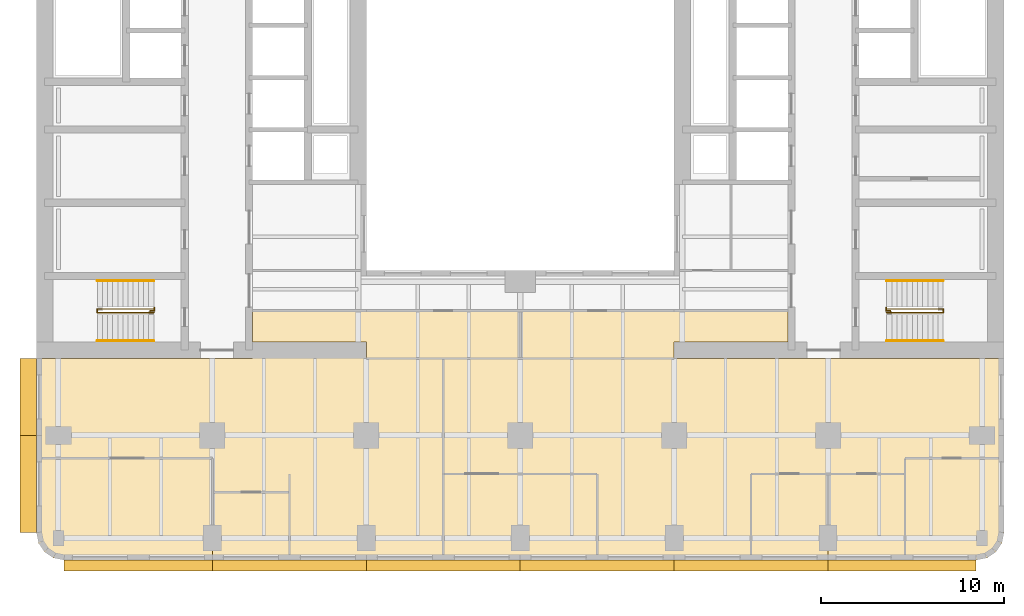
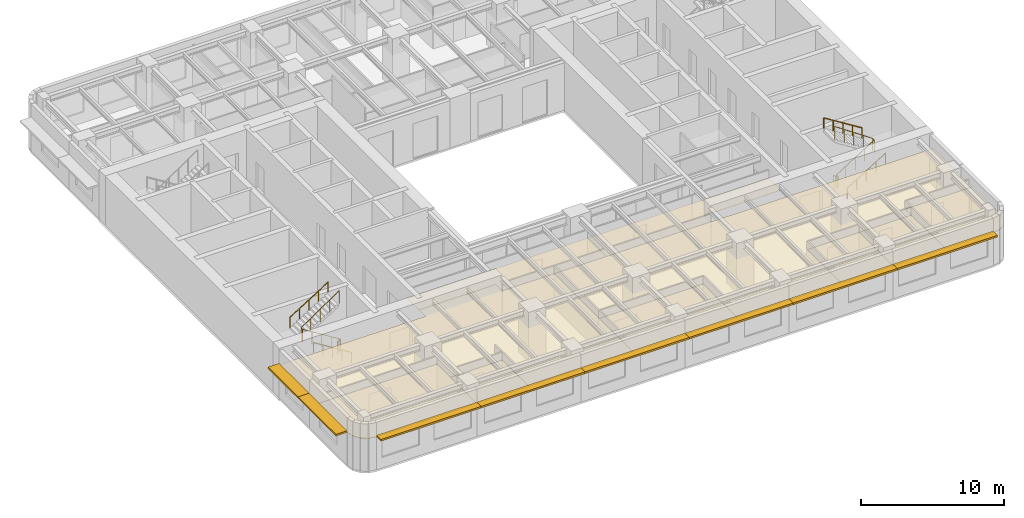
# One storey, part 9 of 11: 10 coverings, 8 railings, 8 shading devices.
"""IFC4 building model written with IfcOpenShell, lengths in metres."""

from ifc_helpers import new_model, si_unit, direction, frame, origin, origin_2d, place, context, subcontext, project, spatial, polyline, rectangle, circle, outline, extrude, material, layer, layer_set, type_object, element, save


model = new_model("IFC4")

# Units and contexts
model_context = context("Model", 3, precision=1e-05, world=origin(), true_north=direction((0.0, 1.0)))
body_context = subcontext(model_context, "Body", "Model", "MODEL_VIEW")
ifc_project = project(units=[si_unit("LENGTHUNIT", "METRE"), si_unit("AREAUNIT", "SQUARE_METRE"), si_unit("VOLUMEUNIT", "CUBIC_METRE"), si_unit("PLANEANGLEUNIT", "RADIAN"), si_unit("MASSUNIT", "GRAM", prefix="KILO")], contexts=[model_context])

# Site, building, storey
site_placement = place(None, origin())
site = spatial("IfcSite", under=ifc_project, at=site_placement, CompositionType="ELEMENT")
building_placement = place(site_placement, origin())
building = spatial("IfcBuilding", under=site, at=building_placement, Name="Claustro Exchange Tower", CompositionType="ELEMENT")
storey_placement = place(building_placement, frame((0.0, 0.0, 151.199951171875)))
storey = spatial("IfcBuildingStorey", under=building, at=storey_placement, Name="L34", CompositionType="ELEMENT", Elevation=151.199951171875)

# Coverings
ifc_material_1 = material(Name="Perforated metal ceiling tiles", Category="steel")
ifc_layer_1 = layer(ifc_material_1, 0.030029296875)
ifc_layer_set_1 = layer_set([ifc_layer_1], Name="Perforated metal ceiling tiles")
covering_type_1 = type_object("IfcCoveringType", Name="CL1 suspended metal ceiling", PredefinedType="CEILING", material=ifc_layer_set_1)
covering_1_placement = place(storey_placement, frame((0.0, 0.0, 2.800048828125)))
element("IfcCovering", 1, at=covering_1_placement, inside=storey, type_object=covering_type_1, Name="Ceiling CL1 L34-07", PredefinedType="CEILING", context=body_context, shape_type="SweptSolid", body=[
    extrude(outline(polyline([(10.60009765625, 12.60009765625), (-1.199951171875, 12.60009765625), (-1.199951171875, 7.14990234375), (8.39990234375, 7.14990234375), (8.39990234375, 5.300048828125), (12.60009765625, 5.300048828125), (12.60009765625, 1.60009765625), (21.0, 1.60009765625), (21.0, 6.300048828125), (21.0, 12.60009765625), (16.800048828125, 12.60009765625), (16.800048828125, 13.5), (10.60009765625, 13.5), (10.60009765625, 12.60009765625)])), origin(), (0.0, 0.0, 1.0), 0.030029296875),
])
ifc_material_2 = material(Name="Gypsum board ceiling", Category="gypsum board")
ifc_layer_2 = layer(ifc_material_2, 0.02490234375)
ifc_layer_set_2 = layer_set([ifc_layer_2], Name="Gypsum board ceiling")
covering_type_2 = type_object("IfcCoveringType", Name="CL2 plasterboard ceiling", PredefinedType="CEILING", material=ifc_layer_set_2)
covering_2_placement = place(storey_placement, frame((0.0, 0.0, 2.800048828125)))
element("IfcCovering", 2, at=covering_2_placement, inside=storey, type_object=covering_type_2, Name="Ceiling CL2 L34-01", PredefinedType="CEILING", context=body_context, shape_type="SweptSolid", body=[
    extrude(outline(polyline([(8.39990234375, 1.60009765625), (12.60009765625, 1.60009765625), (12.60009765625, 5.300048828125), (8.39990234375, 5.300048828125), (8.39990234375, 1.60009765625)])), origin(), (0.0, 0.0, 1.0), 0.02490234375),
])
covering_3_placement = place(storey_placement, frame((0.0, 0.0, 2.800048828125)))
element("IfcCovering", 3, at=covering_3_placement, inside=storey, type_object=covering_type_2, Name="Ceiling CL2 L34-02", PredefinedType="CEILING", context=body_context, shape_type="SweptSolid", body=[
    extrude(outline(polyline([(21.0, 1.60009765625), (29.39990234375, 1.60009765625), (29.39990234375, 6.300048828125), (21.0, 6.300048828125), (21.0, 1.60009765625)])), origin(), (0.0, 0.0, 1.0), 0.02490234375),
])
covering_4_placement = place(storey_placement, frame((0.0, 0.0, 2.800048828125)))
element("IfcCovering", 4, at=covering_4_placement, inside=storey, type_object=covering_type_2, Name="Ceiling CL2 L34-03", PredefinedType="CEILING", context=body_context, shape_type="SweptSolid", body=[
    extrude(outline(polyline([(37.800048828125, 1.60009765625), (42.0, 1.60009765625), (42.0, 6.300048828125), (37.800048828125, 6.300048828125), (37.800048828125, 1.60009765625)])), origin(), (0.0, 0.0, 1.0), 0.02490234375),
])
covering_5_placement = place(storey_placement, frame((0.0, 0.0, 2.800048828125)))
element("IfcCovering", 5, at=covering_5_placement, inside=storey, type_object=covering_type_2, Name="Ceiling CL2 L34-04", PredefinedType="CEILING", context=body_context, shape_type="SweptSolid", body=[
    extrude(outline(polyline([(42.0, 1.60009765625), (46.199951171875, 1.60009765625), (46.199951171875, 6.300048828125), (42.0, 6.300048828125), (42.0, 1.60009765625)])), origin(), (0.0, 0.0, 1.0), 0.02490234375),
])
covering_6_placement = place(storey_placement, frame((0.0, 0.0, 2.800048828125)))
element("IfcCovering", 6, at=covering_6_placement, inside=storey, type_object=covering_type_2, Name="Ceiling CL2 L34-05", PredefinedType="CEILING", context=body_context, shape_type="SweptSolid", body=[
    extrude(outline(polyline([(-1.085693359375, 2.52587890625), (-0.7607421875, 2.039306640625), (-0.27392578125, 1.714111328125), (0.300048828125, 1.60009765625), (8.39990234375, 1.60009765625), (8.39990234375, 7.14990234375), (-1.199951171875, 7.14990234375), (-1.199951171875, 3.10009765625), (-1.085693359375, 2.52587890625)])), origin(), (0.0, 0.0, 1.0), 0.02490234375),
])
covering_7_placement = place(storey_placement, frame((0.0, 0.0, 2.800048828125)))
element("IfcCovering", 7, at=covering_7_placement, inside=storey, type_object=covering_type_2, Name="Ceiling CL2 L34-06", PredefinedType="CEILING", context=body_context, shape_type="SweptSolid", body=[
    extrude(outline(polyline([(51.60009765625, 3.10009765625), (51.60009765625, 7.14990234375), (46.199951171875, 7.14990234375), (46.199951171875, 1.60009765625), (50.10009765625, 1.60009765625), (50.674072265625, 1.714111328125), (51.16064453125, 2.039306640625), (51.48583984375, 2.52587890625), (51.60009765625, 3.10009765625)])), origin(), (0.0, 0.0, 1.0), 0.02490234375),
])
covering_8_placement = place(storey_placement, frame((0.0, 0.0, 2.800048828125)))
element("IfcCovering", 8, at=covering_8_placement, inside=storey, type_object=covering_type_2, Name="Ceiling CL2 L34-08", PredefinedType="CEILING", context=body_context, shape_type="SweptSolid", body=[
    extrude(outline(polyline([(51.60009765625, 12.60009765625), (39.800048828125, 12.60009765625), (21.0, 12.60009765625), (21.0, 6.300048828125), (29.39990234375, 6.300048828125), (29.39990234375, 1.60009765625), (37.800048828125, 1.60009765625), (37.800048828125, 6.300048828125), (42.0, 6.300048828125), (46.199951171875, 6.300048828125), (46.199951171875, 7.14990234375), (51.60009765625, 7.14990234375), (51.60009765625, 12.60009765625)])), origin(), (0.0, 0.0, 1.0), 0.02490234375),
])
covering_9_placement = place(storey_placement, frame((0.0, 0.0, 2.800048828125)))
element("IfcCovering", 9, at=covering_9_placement, inside=storey, type_object=covering_type_2, Name="Ceiling CL2 L34-09", PredefinedType="CEILING", context=body_context, shape_type="SweptSolid", body=[
    extrude(outline(polyline([(10.60009765625, 15.199951171875), (10.60009765625, 13.5), (16.800048828125, 13.5), (16.800048828125, 12.60009765625), (25.199951171875, 12.60009765625), (25.199951171875, 15.199951171875), (16.800048828125, 15.199951171875), (10.60009765625, 15.199951171875)])), origin(), (0.0, 0.0, 1.0), 0.02490234375),
])
covering_10_placement = place(storey_placement, frame((0.0, 0.0, 2.800048828125)))
element("IfcCovering", 10, at=covering_10_placement, inside=storey, type_object=covering_type_2, Name="Ceiling CL2 L34-10", PredefinedType="CEILING", context=body_context, shape_type="SweptSolid", body=[
    extrude(outline(polyline([(39.800048828125, 13.5), (39.800048828125, 15.199951171875), (33.60009765625, 15.199951171875), (25.199951171875, 15.199951171875), (25.199951171875, 12.60009765625), (33.60009765625, 12.60009765625), (33.60009765625, 13.5), (39.800048828125, 13.5)])), origin(), (0.0, 0.0, 1.0), 0.02490234375),
])

# Railings
ifc_material_3 = material(Name="Steel balustrade, painted", Category="steel")
railing_type_1 = type_object("IfcRailingType", Name="GR2 1100 steel stair guard", PredefinedType="GUARDRAIL", material=ifc_material_3)
railing_1_placement = place(storey_placement, frame((5.199951171875, 15.10009765625, 0.175048828125)))
element("IfcRailing", 11, at=railing_1_placement, inside=storey, type_object=railing_type_1, Name="Stair well guard GR2 stair STWA L34", PredefinedType="GUARDRAIL", context=body_context, shape_type="SweptSolid", body=[
    extrude(circle(Radius=0.02392578125, at=origin_2d()), frame((0.0, 0.0, 1.076171875), z_axis=(-0.847979421464, 0.0, 0.530029150871), x_axis=(0.0, -1.0, 0.0)), (0.0, 0.0, 1.0), 3.632080078125),
    extrude(circle(Radius=0.02392578125, at=origin_2d()), frame((-3.079833984375, 0.0, 3.0009765625), z_axis=(0.0, 1.0, 0.0), x_axis=(-1.0, 0.0, 0.0)), (0.0, 0.0, 1.0), 0.199951171875),
    extrude(circle(Radius=0.02392578125, at=origin_2d()), frame((-3.079833984375, 0.199951171875, 3.0009765625), z_axis=(0.826231499792, 0.0, 0.563330727682), x_axis=(0.0, 1.0, 0.0)), (0.0, 0.0, 1.0), 3.7275390625),
    extrude(circle(Radius=0.02099609375, at=origin_2d()), origin(), (0.0, 0.0, 1.0), 1.052001953125),
    extrude(circle(Radius=0.02099609375, at=origin_2d()), frame((-0.77001953125, 0.0, 0.481201171875)), (0.0, 0.0, 1.0), 1.052001953125),
    extrude(circle(Radius=0.02099609375, at=origin_2d()), frame((-1.5400390625, 0.0, 0.96240234375)), (0.0, 0.0, 1.0), 1.052001953125),
    extrude(circle(Radius=0.02099609375, at=origin_2d()), frame((-2.309814453125, 0.0, 1.44384765625)), (0.0, 0.0, 1.0), 1.052001953125),
    extrude(circle(Radius=0.02099609375, at=origin_2d()), frame((-3.079833984375, 0.0, 1.925048828125)), (0.0, 0.0, 1.0), 1.052001953125),
    extrude(circle(Radius=0.02099609375, at=origin_2d()), frame((-3.079833984375, 0.199951171875, 1.925048828125)), (0.0, 0.0, 1.0), 1.052001953125),
    extrude(circle(Radius=0.02099609375, at=origin_2d()), frame((-2.309814453125, 0.199951171875, 2.449951171875)), (0.0, 0.0, 1.0), 1.052001953125),
    extrude(circle(Radius=0.02099609375, at=origin_2d()), frame((-1.5400390625, 0.199951171875, 2.97509765625)), (0.0, 0.0, 1.0), 1.052001953125),
    extrude(circle(Radius=0.02099609375, at=origin_2d()), frame((-0.77001953125, 0.199951171875, 3.5)), (0.0, 0.0, 1.0), 1.052001953125),
    extrude(circle(Radius=0.02099609375, at=origin_2d()), frame((0.0, 0.199951171875, 4.02490234375)), (0.0, 0.0, 1.0), 1.052001953125),
])
railing_2_placement = place(storey_placement, frame((5.0, 15.169921875, 0.0)))
element("IfcRailing", 12, at=railing_2_placement, inside=storey, type_object=railing_type_1, Name="Stair guard GR2 STWA L34", PredefinedType="GUARDRAIL", context=body_context, shape_type="SweptSolid", body=[
    extrude(circle(Radius=0.02392578125, at=origin_2d()), frame((0.0, 0.0, 1.076171875), z_axis=(0.0, 1.0, 0.0), x_axis=(-1.0, 0.0, 0.0)), (0.0, 0.0, 1.0), 0.030029296875),
    extrude(circle(Radius=0.02392578125, at=origin_2d()), frame((0.0, 0.030029296875, 1.076171875), z_axis=(1.0, 0.0, 0.0), x_axis=(0.0, 1.0, 0.0)), (0.0, 0.0, 1.0), 0.22509765625),
    extrude(circle(Radius=0.02392578125, at=origin_2d()), frame((0.22509765625, 0.030029296875, 1.076171875), z_axis=(0.0, 1.0, 0.0), x_axis=(-1.0, 0.0, 0.0)), (0.0, 0.0, 1.0), 0.179931640625),
    extrude(circle(Radius=0.02099609375, at=origin_2d()), origin(), (0.0, 0.0, 1.0), 1.052001953125),
    extrude(circle(Radius=0.02099609375, at=origin_2d()), frame((0.0, 0.030029296875, 0.0)), (0.0, 0.0, 1.0), 1.052001953125),
    extrude(circle(Radius=0.02099609375, at=origin_2d()), frame((0.22509765625, 0.030029296875, 0.0)), (0.0, 0.0, 1.0), 1.052001953125),
    extrude(circle(Radius=0.02099609375, at=origin_2d()), frame((0.22509765625, 0.2099609375, 0.0)), (0.0, 0.0, 1.0), 1.052001953125),
])
railing_3_placement = place(storey_placement, frame((45.199951171875, 15.10009765625, 0.175048828125)))
element("IfcRailing", 13, at=railing_3_placement, inside=storey, type_object=railing_type_1, Name="Stair well guard GR2 stair STEA L34", PredefinedType="GUARDRAIL", context=body_context, shape_type="SweptSolid", body=[
    extrude(circle(Radius=0.02392578125, at=origin_2d()), frame((0.0, 0.0, 1.076171875), z_axis=(0.847998304005, 0.0, 0.529998940003), x_axis=(0.0, 1.0, 0.0)), (0.0, 0.0, 1.0), 3.632080078125),
    extrude(circle(Radius=0.02392578125, at=origin_2d()), frame((3.080078125, 0.0, 3.0009765625), z_axis=(0.0, 1.0, 0.0), x_axis=(-1.0, 0.0, 0.0)), (0.0, 0.0, 1.0), 0.199951171875),
    extrude(circle(Radius=0.02392578125, at=origin_2d()), frame((3.080078125, 0.199951171875, 3.0009765625), z_axis=(-0.826252282691, 0.0, 0.563300244406), x_axis=(0.0, -1.0, 0.0)), (0.0, 0.0, 1.0), 3.727783203125),
    extrude(circle(Radius=0.02099609375, at=origin_2d()), origin(), (0.0, 0.0, 1.0), 1.052001953125),
    extrude(circle(Radius=0.02099609375, at=origin_2d()), frame((0.77001953125, 0.0, 0.481201171875)), (0.0, 0.0, 1.0), 1.052001953125),
    extrude(circle(Radius=0.02099609375, at=origin_2d()), frame((1.5400390625, 0.0, 0.96240234375)), (0.0, 0.0, 1.0), 1.052001953125),
    extrude(circle(Radius=0.02099609375, at=origin_2d()), frame((2.31005859375, 0.0, 1.44384765625)), (0.0, 0.0, 1.0), 1.052001953125),
    extrude(circle(Radius=0.02099609375, at=origin_2d()), frame((3.080078125, 0.0, 1.925048828125)), (0.0, 0.0, 1.0), 1.052001953125),
    extrude(circle(Radius=0.02099609375, at=origin_2d()), frame((3.080078125, 0.199951171875, 1.925048828125)), (0.0, 0.0, 1.0), 1.052001953125),
    extrude(circle(Radius=0.02099609375, at=origin_2d()), frame((2.31005859375, 0.199951171875, 2.449951171875)), (0.0, 0.0, 1.0), 1.052001953125),
    extrude(circle(Radius=0.02099609375, at=origin_2d()), frame((1.5400390625, 0.199951171875, 2.97509765625)), (0.0, 0.0, 1.0), 1.052001953125),
    extrude(circle(Radius=0.02099609375, at=origin_2d()), frame((0.77001953125, 0.199951171875, 3.5)), (0.0, 0.0, 1.0), 1.052001953125),
    extrude(circle(Radius=0.02099609375, at=origin_2d()), frame((0.0, 0.199951171875, 4.02490234375)), (0.0, 0.0, 1.0), 1.052001953125),
])
railing_4_placement = place(storey_placement, frame((45.39990234375, 15.169921875, 0.0)))
element("IfcRailing", 14, at=railing_4_placement, inside=storey, type_object=railing_type_1, Name="Stair guard GR2 STEA L34", PredefinedType="GUARDRAIL", context=body_context, shape_type="SweptSolid", body=[
    extrude(circle(Radius=0.02392578125, at=origin_2d()), frame((0.0, 0.0, 1.076171875), z_axis=(0.0, 1.0, 0.0), x_axis=(-1.0, 0.0, 0.0)), (0.0, 0.0, 1.0), 0.030029296875),
    extrude(circle(Radius=0.02392578125, at=origin_2d()), frame((0.0, 0.030029296875, 1.076171875), z_axis=(-1.0, 0.0, 0.0), x_axis=(0.0, -1.0, 0.0)), (0.0, 0.0, 1.0), 0.224853515625),
    extrude(circle(Radius=0.02392578125, at=origin_2d()), frame((-0.224853515625, 0.030029296875, 1.076171875), z_axis=(0.0, 1.0, 0.0), x_axis=(-1.0, 0.0, 0.0)), (0.0, 0.0, 1.0), 0.179931640625),
    extrude(circle(Radius=0.02099609375, at=origin_2d()), origin(), (0.0, 0.0, 1.0), 1.052001953125),
    extrude(circle(Radius=0.02099609375, at=origin_2d()), frame((0.0, 0.030029296875, 0.0)), (0.0, 0.0, 1.0), 1.052001953125),
    extrude(circle(Radius=0.02099609375, at=origin_2d()), frame((-0.224853515625, 0.030029296875, 0.0)), (0.0, 0.0, 1.0), 1.052001953125),
    extrude(circle(Radius=0.02099609375, at=origin_2d()), frame((-0.224853515625, 0.2099609375, 0.0)), (0.0, 0.0, 1.0), 1.052001953125),
])
ifc_material_4 = material(Name="Stainless steel tube", Category="steel")
railing_type_2 = type_object("IfcRailingType", Name="HR1 900 stair handrail", PredefinedType="HANDRAIL", material=ifc_material_4)
railing_5_placement = place(storey_placement, frame((5.199951171875, 13.56005859375, 0.175048828125)))
element("IfcRailing", 15, at=railing_5_placement, inside=storey, type_object=railing_type_2, Name="Handrail HR1 stair STWA L34", PredefinedType="HANDRAIL", context=body_context, shape_type="SweptSolid", body=[
    extrude(circle(Radius=0.02392578125, at=origin_2d()), frame((0.0, 0.0, 0.8759765625), z_axis=(-0.847979421464, 0.0, 0.530029150871), x_axis=(0.0, -1.0, 0.0)), (0.0, 0.0, 1.0), 3.632080078125),
    extrude(circle(Radius=0.02099609375, at=origin_2d()), origin(), (0.0, 0.0, 1.0), 0.851806640625),
    extrude(circle(Radius=0.02099609375, at=origin_2d()), frame((-0.77001953125, 0.0, 0.481201171875)), (0.0, 0.0, 1.0), 0.851806640625),
    extrude(circle(Radius=0.02099609375, at=origin_2d()), frame((-1.5400390625, 0.0, 0.96240234375)), (0.0, 0.0, 1.0), 0.851806640625),
    extrude(circle(Radius=0.02099609375, at=origin_2d()), frame((-2.309814453125, 0.0, 1.44384765625)), (0.0, 0.0, 1.0), 0.851806640625),
    extrude(circle(Radius=0.02099609375, at=origin_2d()), frame((-3.079833984375, 0.0, 1.925048828125)), (0.0, 0.0, 1.0), 0.851806640625),
])
railing_6_placement = place(storey_placement, frame((2.1201171875, 16.840087890625, 2.275146484375)))
element("IfcRailing", 16, at=railing_6_placement, inside=storey, type_object=railing_type_2, Name="Handrail HR1 stair STWA L34", PredefinedType="HANDRAIL", context=body_context, shape_type="SweptSolid", body=[
    extrude(circle(Radius=0.02392578125, at=origin_2d()), frame((0.0, 0.0, 0.8759765625), z_axis=(0.848009633417, 0.0, 0.529980812513), x_axis=(0.0, 1.0, 0.0)), (0.0, 0.0, 1.0), 3.6318359375),
    extrude(circle(Radius=0.02099609375, at=origin_2d()), origin(), (0.0, 0.0, 1.0), 0.851806640625),
    extrude(circle(Radius=0.02099609375, at=origin_2d()), frame((0.77001953125, 0.0, 0.481201171875)), (0.0, 0.0, 1.0), 0.851806640625),
    extrude(circle(Radius=0.02099609375, at=origin_2d()), frame((1.5400390625, 0.0, 0.96240234375)), (0.0, 0.0, 1.0), 0.851806640625),
    extrude(circle(Radius=0.02099609375, at=origin_2d()), frame((2.309814453125, 0.0, 1.443603515625)), (0.0, 0.0, 1.0), 0.851806640625),
    extrude(circle(Radius=0.02099609375, at=origin_2d()), frame((3.079833984375, 0.0, 1.9248046875)), (0.0, 0.0, 1.0), 0.851806640625),
])
railing_7_placement = place(storey_placement, frame((45.199951171875, 13.56005859375, 0.175048828125)))
element("IfcRailing", 17, at=railing_7_placement, inside=storey, type_object=railing_type_2, Name="Handrail HR1 stair STEA L34", PredefinedType="HANDRAIL", context=body_context, shape_type="SweptSolid", body=[
    extrude(circle(Radius=0.02392578125, at=origin_2d()), frame((0.0, 0.0, 0.8759765625), z_axis=(0.847998304005, 0.0, 0.529998940003), x_axis=(0.0, 1.0, 0.0)), (0.0, 0.0, 1.0), 3.632080078125),
    extrude(circle(Radius=0.02099609375, at=origin_2d()), origin(), (0.0, 0.0, 1.0), 0.851806640625),
    extrude(circle(Radius=0.02099609375, at=origin_2d()), frame((0.77001953125, 0.0, 0.481201171875)), (0.0, 0.0, 1.0), 0.851806640625),
    extrude(circle(Radius=0.02099609375, at=origin_2d()), frame((1.5400390625, 0.0, 0.96240234375)), (0.0, 0.0, 1.0), 0.851806640625),
    extrude(circle(Radius=0.02099609375, at=origin_2d()), frame((2.31005859375, 0.0, 1.44384765625)), (0.0, 0.0, 1.0), 0.851806640625),
    extrude(circle(Radius=0.02099609375, at=origin_2d()), frame((3.080078125, 0.0, 1.925048828125)), (0.0, 0.0, 1.0), 0.851806640625),
])
railing_8_placement = place(storey_placement, frame((48.280029296875, 16.840087890625, 2.275146484375)))
element("IfcRailing", 18, at=railing_8_placement, inside=storey, type_object=railing_type_2, Name="Handrail HR1 stair STEA L34", PredefinedType="HANDRAIL", context=body_context, shape_type="SweptSolid", body=[
    extrude(circle(Radius=0.02392578125, at=origin_2d()), frame((0.0, 0.0, 0.8759765625), z_axis=(-0.848028513186, 0.0, 0.529950602248), x_axis=(0.0, -1.0, 0.0)), (0.0, 0.0, 1.0), 3.632080078125),
    extrude(circle(Radius=0.02099609375, at=origin_2d()), origin(), (0.0, 0.0, 1.0), 0.851806640625),
    extrude(circle(Radius=0.02099609375, at=origin_2d()), frame((-0.77001953125, 0.0, 0.481201171875)), (0.0, 0.0, 1.0), 0.851806640625),
    extrude(circle(Radius=0.02099609375, at=origin_2d()), frame((-1.5400390625, 0.0, 0.96240234375)), (0.0, 0.0, 1.0), 0.851806640625),
    extrude(circle(Radius=0.02099609375, at=origin_2d()), frame((-2.31005859375, 0.0, 1.443603515625)), (0.0, 0.0, 1.0), 0.851806640625),
    extrude(circle(Radius=0.02099609375, at=origin_2d()), frame((-3.080078125, 0.0, 1.9248046875)), (0.0, 0.0, 1.0), 0.851806640625),
])

# Shading devices
ifc_material_5 = material(Name="Concrete HA-40 (C40/50), precast, white cement, acid-etched", Category="concrete")
ifc_layer_3 = layer(ifc_material_5, 0.14990234375)
ifc_layer_set_3 = layer_set([ifc_layer_3], Name="Concrete HA-40 (C40/50), precast, white cement, acid-etched")
shading_device_type_1 = type_object("IfcShadingDeviceType", Name="SS1 600 precast concrete SUNSHADE", PredefinedType="SHUTTER", material=ifc_layer_set_3)
shading_device_1_placement = place(storey_placement, frame((46.04248046875, 1.300048828125, 2.800048828125), z_axis=(0.0, 0.0, 1.0), x_axis=(-1.0, 0.0, 0.0)))
element("IfcShadingDevice", 19, at=shading_device_1_placement, inside=storey, type_object=shading_device_type_1, Name="Precast SUNSHADE SS1 L34", PredefinedType="SHUTTER", context=body_context, shape_type="SweptSolid", body=[
    extrude(rectangle(XDim=8.085205078125, YDim=0.60009765625, at=origin_2d()), origin(), (0.0, 0.0, 1.0), 0.14990234375),
])
for number, where, z_axis, x_axis, name in (
    (20, (37.800048828125, 1.300048828125, 2.800048828125), (0.0, 0.0, 1.0), (-1.0, 0.0, 0.0), "Precast SUNSHADE SS1 L34"),
    (21, (29.39990234375, 1.300048828125, 2.800048828125), (0.0, 0.0, 1.0), (-1.0, 0.0, 0.0), "Precast SUNSHADE SS1 L34"),
    (22, (21.0, 1.300048828125, 2.800048828125), (0.0, 0.0, 1.0), (-1.0, 0.0, 0.0), "Precast SUNSHADE SS1 L34"),
    (23, (12.60009765625, 1.300048828125, 2.800048828125), (0.0, 0.0, 1.0), (-1.0, 0.0, 0.0), "Precast SUNSHADE SS1 L34"),
):
    element("IfcShadingDevice", number, at=place(storey_placement, frame(where, z_axis=z_axis, x_axis=x_axis)), inside=storey, type_object=shading_device_type_1, Name=name, PredefinedType="SHUTTER", context=body_context, shape_type="SweptSolid", body=[
        extrude(rectangle(XDim=8.39990234375, YDim=0.60009765625, at=origin_2d()), origin(), (0.0, 0.0, 1.0), 0.14990234375),
    ])
shading_device_2_placement = place(storey_placement, frame((4.357421875, 1.300048828125, 2.800048828125), z_axis=(0.0, 0.0, 1.0), x_axis=(-1.0, 0.0, 0.0)))
element("IfcShadingDevice", 24, at=shading_device_2_placement, inside=storey, type_object=shading_device_type_1, Name="Precast SUNSHADE SS1 L34", PredefinedType="SHUTTER", context=body_context, shape_type="SweptSolid", body=[
    extrude(rectangle(XDim=8.085205078125, YDim=0.60009765625, at=origin_2d()), origin(), (0.0, 0.0, 1.0), 0.14990234375),
])
ifc_material_6 = material(Name="Concrete HA-40 (C40/50), precast, white cement, acid-etched", Category="concrete")
ifc_layer_4 = layer(ifc_material_6, 0.14990234375)
ifc_layer_set_4 = layer_set([ifc_layer_4], Name="Concrete HA-40 (C40/50), precast, white cement, acid-etched")
shading_device_type_2 = type_object("IfcShadingDeviceType", Name="SS2 900 precast concrete SUNSHADE", PredefinedType="SHUTTER", material=ifc_layer_set_4)
shading_device_3_placement = place(storey_placement, frame((-1.64990234375, 5.75732421875, 2.800048828125), z_axis=(0.0, 0.0, 1.0), x_axis=(0.0, 1.0, 0.0)))
element("IfcShadingDevice", 25, at=shading_device_3_placement, inside=storey, type_object=shading_device_type_2, Name="Precast SUNSHADE SS2 L34", PredefinedType="SHUTTER", context=body_context, shape_type="SweptSolid", body=[
    extrude(rectangle(XDim=5.28515625, YDim=0.89990234375, at=origin_2d()), origin(), (0.0, 0.0, 1.0), 0.14990234375),
])
shading_device_4_placement = place(storey_placement, frame((-1.64990234375, 10.5, 2.800048828125), z_axis=(0.0, 0.0, 1.0), x_axis=(0.0, 1.0, 0.0)))
element("IfcShadingDevice", 26, at=shading_device_4_placement, inside=storey, type_object=shading_device_type_2, Name="Precast SUNSHADE SS2 L34", PredefinedType="SHUTTER", context=body_context, shape_type="SweptSolid", body=[
    extrude(rectangle(XDim=4.199951171875, YDim=0.89990234375, at=origin_2d()), origin(), (0.0, 0.0, 1.0), 0.14990234375),
])

save(model, "model.ifc")
